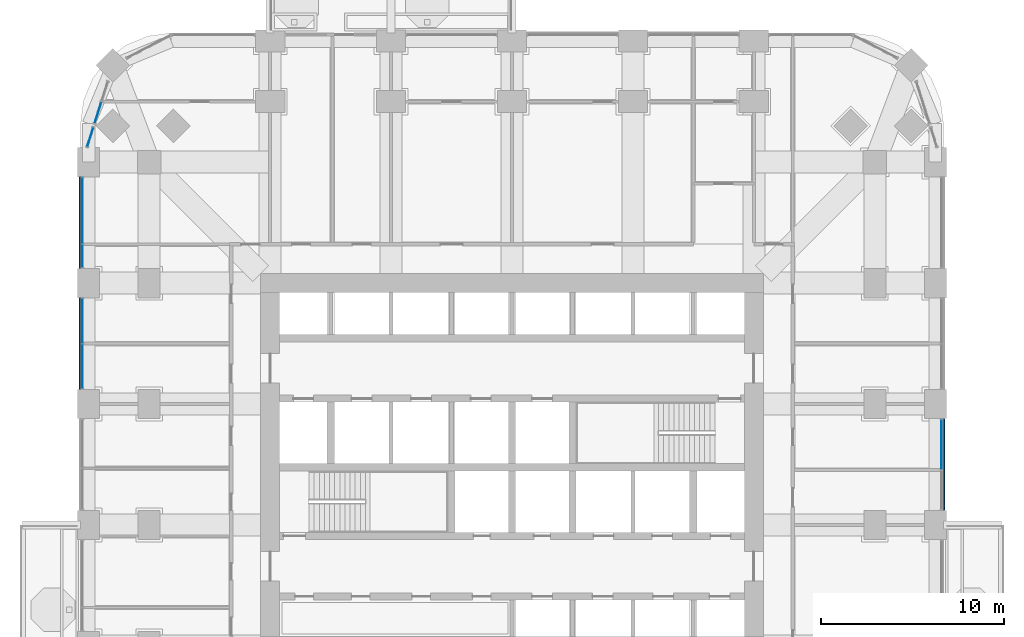
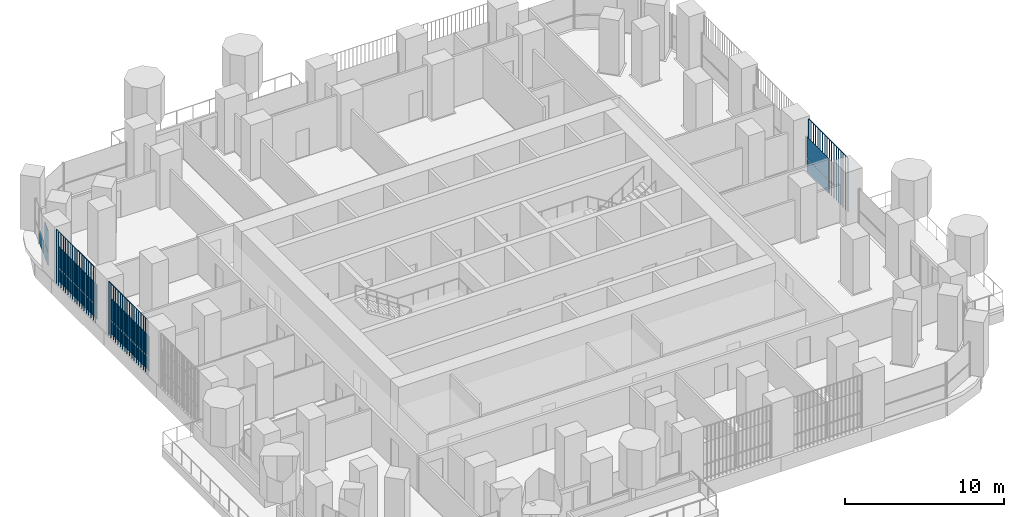
# One storey, part 10 of 21: 16 plates, 5 elements without a shape of their own.
"""IFC4 building model written with IfcOpenShell, lengths in metres."""

from ifc_helpers import new_model, si_unit, direction, frame, origin, origin_2d, place, context, subcontext, project, spatial, polyline, rectangle, outline, extrude, material, layer, layer_set, type_object, element, aggregate, save


model = new_model("IFC4")

# Units and contexts
model_context = context("Model", 3, precision=1e-05, world=origin(), true_north=direction((0.0, 1.0)))
body_context = subcontext(model_context, "Body", "Model", "MODEL_VIEW")
ifc_project = project(units=[si_unit("LENGTHUNIT", "METRE"), si_unit("AREAUNIT", "SQUARE_METRE"), si_unit("VOLUMEUNIT", "CUBIC_METRE"), si_unit("PLANEANGLEUNIT", "RADIAN"), si_unit("MASSUNIT", "GRAM", prefix="KILO")], contexts=[model_context])

# Site, building, storey
site_placement = place(None, origin())
site = spatial("IfcSite", under=ifc_project, at=site_placement, CompositionType="ELEMENT")
building_placement = place(site_placement, origin())
building = spatial("IfcBuilding", under=site, at=building_placement, Name="Cobogo Forest Laboratory Tower", CompositionType="ELEMENT")
storey_placement = place(building_placement, frame((0.0, 0.0, 107.39990234375)))
storey = spatial("IfcBuildingStorey", under=building, at=storey_placement, Name="L24", CompositionType="ELEMENT", Elevation=107.39990234375)

# Curtain wall, plates
ifc_material_1 = material(Name="Aluminium curtain wall", Category="aluminium")
curtain_wall_type = type_object("IfcCurtainWallType", Name="CW-1 unitised curtain wall, clear glazing, laboratory floors zones A and B", PredefinedType="USERDEFINED", material=ifc_material_1)
curtain_wall_1_placement = place(storey_placement, origin())
curtain_wall_1 = element("IfcCurtainWall", 1, at=curtain_wall_1_placement, inside=storey, type_object=curtain_wall_type, Name="Curtain wall 12 L24", ObjectType="UNITISED CURTAIN WALL", PredefinedType="USERDEFINED")
ifc_material_2 = material(Name="Clear insulated glass", Category="glass")
ifc_layer = layer(ifc_material_2, 0.028076171875)
ifc_layer_set = layer_set([ifc_layer], Name="GP-1 clear insulated glass unit 28")
plate_type_1 = type_object("IfcPlateType", Name="GP-1 clear insulated glass unit 28", PredefinedType="CURTAIN_PANEL", material=ifc_layer_set)
plate_1_placement = place(storey_placement, frame((49.85009765625, 24.18505859375, 0.0), z_axis=(0.0, 0.0, 1.0), x_axis=(0.0, 1.0, 0.0)))
plate_1 = element("IfcPlate", 2, at=plate_1_placement, type_object=plate_type_1, Name="CW-1 panel 2.1", PredefinedType="CURTAIN_PANEL", context=body_context, shape_type="SweptSolid", body=[
    extrude(rectangle(XDim=2.7099609375, YDim=0.028076171875, at=origin_2d()), origin(), (0.0, 0.0, 1.0), 1.02001953125),
])
plate_2_placement = place(storey_placement, frame((49.85009765625, 24.18505859375, 1.080078125), z_axis=(0.0, 0.0, 1.0), x_axis=(0.0, 1.0, 0.0)))
plate_2 = element("IfcPlate", 3, at=plate_2_placement, type_object=plate_type_1, Name="CW-1 panel 2.2", PredefinedType="CURTAIN_PANEL", context=body_context, shape_type="SweptSolid", body=[
    extrude(rectangle(XDim=2.7099609375, YDim=0.028076171875, at=origin_2d()), origin(), (0.0, 0.0, 1.0), 1.6201171875),
])
aggregate(curtain_wall_1, [plate_1, plate_2])

# Curtain wall, plate
curtain_wall_2_placement = place(storey_placement, origin())
curtain_wall_2 = element("IfcCurtainWall", 4, at=curtain_wall_2_placement, inside=storey, type_object=curtain_wall_type, Name="Curtain wall 25 L24", ObjectType="UNITISED CURTAIN WALL", PredefinedType="USERDEFINED")
plate_3_placement = place(storey_placement, frame((3.806396484375, 42.31201171875, 0.0), z_axis=(0.0, 0.0, 1.0), x_axis=(-0.301135291996, -0.953581425949, 0.0)))
plate_3 = element("IfcPlate", 5, at=plate_3_placement, type_object=plate_type_1, Name="CW-1 panel 2.1", PredefinedType="CURTAIN_PANEL", context=body_context, shape_type="SweptSolid", body=[
    extrude(rectangle(XDim=1.223876953125, YDim=0.028076171875, at=origin_2d()), origin(), (0.0, 0.0, 1.0), 1.02001953125),
])
aggregate(curtain_wall_2, [plate_3])

# Curtain wall, plates
curtain_wall_3_placement = place(storey_placement, origin())
curtain_wall_3 = element("IfcCurtainWall", 6, at=curtain_wall_3_placement, inside=storey, type_object=curtain_wall_type, Name="Curtain wall 26 L24", ObjectType="UNITISED CURTAIN WALL", PredefinedType="USERDEFINED")
plate_4_placement = place(storey_placement, frame((3.3818359375, 40.9677734375, 0.0), z_axis=(0.0, 0.0, 1.0), x_axis=(-0.301135667865, -0.953581307252, 0.0)))
plate_4 = element("IfcPlate", 7, at=plate_4_placement, type_object=plate_type_1, Name="CW-1 panel 1.1", PredefinedType="CURTAIN_PANEL", context=body_context, shape_type="SweptSolid", body=[
    extrude(rectangle(XDim=1.071044921875, YDim=0.028076171875, at=origin_2d()), origin(), (0.0, 0.0, 1.0), 1.02001953125),
])
plate_5_placement = place(storey_placement, frame((3.3818359375, 40.9677734375, 1.080078125), z_axis=(0.0, 0.0, 1.0), x_axis=(-0.301135667865, -0.953581307252, 0.0)))
plate_5 = element("IfcPlate", 8, at=plate_5_placement, type_object=plate_type_1, Name="CW-1 panel 1.2", PredefinedType="CURTAIN_PANEL", context=body_context, shape_type="SweptSolid", body=[
    extrude(rectangle(XDim=1.071044921875, YDim=0.028076171875, at=origin_2d()), origin(), (0.0, 0.0, 1.0), 1.6201171875),
])
aggregate(curtain_wall_3, [plate_4, plate_5])

curtain_wall_4_placement = place(storey_placement, origin())
curtain_wall_4 = element("IfcCurtainWall", 9, at=curtain_wall_4_placement, inside=storey, type_object=curtain_wall_type, Name="Curtain wall 27 L24", ObjectType="UNITISED CURTAIN WALL", PredefinedType="USERDEFINED")
plate_6_placement = place(storey_placement, frame((2.949951171875, 36.947509765625, 0.0), z_axis=(0.0, 0.0, 1.0), x_axis=(0.0, -1.0, 0.0)))
plate_6 = element("IfcPlate", 10, at=plate_6_placement, type_object=plate_type_1, Name="CW-1 panel 1.1", PredefinedType="CURTAIN_PANEL", context=body_context, shape_type="SweptSolid", body=[
    extrude(rectangle(XDim=3.5849609375, YDim=0.028076171875, at=origin_2d()), origin(), (0.0, 0.0, 1.0), 1.02001953125),
])
plate_7_placement = place(storey_placement, frame((2.949951171875, 36.947509765625, 1.080078125), z_axis=(0.0, 0.0, 1.0), x_axis=(0.0, -1.0, 0.0)))
plate_7 = element("IfcPlate", 11, at=plate_7_placement, type_object=plate_type_1, Name="CW-1 panel 1.2", PredefinedType="CURTAIN_PANEL", context=body_context, shape_type="SweptSolid", body=[
    extrude(rectangle(XDim=3.5849609375, YDim=0.028076171875, at=origin_2d()), origin(), (0.0, 0.0, 1.0), 1.6201171875),
])
plate_8_placement = place(storey_placement, frame((2.949951171875, 34.4775390625, 0.0), z_axis=(0.0, 0.0, 1.0), x_axis=(0.0, -1.0, 0.0)))
plate_8 = element("IfcPlate", 12, at=plate_8_placement, type_object=plate_type_1, Name="CW-1 panel 2.1", PredefinedType="CURTAIN_PANEL", context=body_context, shape_type="SweptSolid", body=[
    extrude(rectangle(XDim=1.235107421875, YDim=0.028076171875, at=origin_2d()), origin(), (0.0, 0.0, 1.0), 1.02001953125),
])
plate_9_placement = place(storey_placement, frame((2.949951171875, 34.4775390625, 1.080078125), z_axis=(0.0, 0.0, 1.0), x_axis=(0.0, -1.0, 0.0)))
plate_9 = element("IfcPlate", 13, at=plate_9_placement, type_object=plate_type_1, Name="CW-1 panel 2.2", PredefinedType="CURTAIN_PANEL", context=body_context, shape_type="SweptSolid", body=[
    extrude(rectangle(XDim=1.235107421875, YDim=0.028076171875, at=origin_2d()), origin(), (0.0, 0.0, 1.0), 1.6201171875),
])
aggregate(curtain_wall_4, [plate_6, plate_7, plate_8, plate_9])

curtain_wall_5_placement = place(storey_placement, origin())
curtain_wall_5 = element("IfcCurtainWall", 14, at=curtain_wall_5_placement, inside=storey, type_object=curtain_wall_type, Name="Curtain wall 28 L24", ObjectType="UNITISED CURTAIN WALL", PredefinedType="USERDEFINED")
plate_10_placement = place(storey_placement, frame((2.949951171875, 30.93505859375, 0.0), z_axis=(0.0, 0.0, 1.0), x_axis=(0.0, -1.0, 0.0)))
plate_10 = element("IfcPlate", 15, at=plate_10_placement, type_object=plate_type_1, Name="CW-1 panel 1.1", PredefinedType="CURTAIN_PANEL", context=body_context, shape_type="SweptSolid", body=[
    extrude(rectangle(XDim=2.409912109375, YDim=0.028076171875, at=origin_2d()), origin(), (0.0, 0.0, 1.0), 1.02001953125),
])
plate_11_placement = place(storey_placement, frame((2.949951171875, 30.93505859375, 1.080078125), z_axis=(0.0, 0.0, 1.0), x_axis=(0.0, -1.0, 0.0)))
plate_11 = element("IfcPlate", 16, at=plate_11_placement, type_object=plate_type_1, Name="CW-1 panel 1.2", PredefinedType="CURTAIN_PANEL", context=body_context, shape_type="SweptSolid", body=[
    extrude(rectangle(XDim=2.409912109375, YDim=0.028076171875, at=origin_2d()), origin(), (0.0, 0.0, 1.0), 1.6201171875),
])
plate_12_placement = place(storey_placement, frame((2.949951171875, 28.465087890625, 0.0), z_axis=(0.0, 0.0, 1.0), x_axis=(0.0, -1.0, 0.0)))
plate_12 = element("IfcPlate", 17, at=plate_12_placement, type_object=plate_type_1, Name="CW-1 panel 2.1", PredefinedType="CURTAIN_PANEL", context=body_context, shape_type="SweptSolid", body=[
    extrude(rectangle(XDim=2.409912109375, YDim=0.028076171875, at=origin_2d()), origin(), (0.0, 0.0, 1.0), 1.02001953125),
])
plate_13_placement = place(storey_placement, frame((2.949951171875, 28.465087890625, 1.080078125), z_axis=(0.0, 0.0, 1.0), x_axis=(0.0, -1.0, 0.0)))
plate_13 = element("IfcPlate", 18, at=plate_13_placement, type_object=plate_type_1, Name="CW-1 panel 2.2", PredefinedType="CURTAIN_PANEL", context=body_context, shape_type="SweptSolid", body=[
    extrude(rectangle(XDim=2.409912109375, YDim=0.028076171875, at=origin_2d()), origin(), (0.0, 0.0, 1.0), 1.6201171875),
])
aggregate(curtain_wall_5, [plate_10, plate_11, plate_12, plate_13])

# Plates
ifc_material_3 = material(Name="Terracotta", Category="masonry")
plate_type_2 = type_object("IfcPlateType", Name="TB1 terracotta baguette screen", PredefinedType="USERDEFINED", material=ifc_material_3)
plate_14_placement = place(storey_placement, frame((49.977783203125, 20.63134765625, -0.14990234375)))
element("IfcPlate", 19, at=plate_14_placement, inside=storey, type_object=plate_type_2, Name="Baguette screen E3 L24", ObjectType="BAGUETTE SCREEN", PredefinedType="USERDEFINED", context=body_context, shape_type="SweptSolid", body=[
    extrude(outline(polyline([(0.02880859375, 0.011962890625), (0.011962890625, 0.02880859375), (-0.011962890625, 0.02880859375), (-0.02880859375, 0.011962890625), (-0.02880859375, -0.011962890625), (-0.011962890625, -0.02880859375), (0.011962890625, -0.02880859375), (0.02880859375, -0.011962890625), (0.02880859375, 0.011962890625)])), frame((0.0, 0.0, 4.168701171875), z_axis=(0.0, 1.0, 0.0), x_axis=(-1.0, 0.0, 0.0)), (0.0, 0.0, 1.0), 4.9375),
    extrude(outline(polyline([(0.02880859375, 0.011962890625), (0.011962890625, 0.02880859375), (-0.011962890625, 0.02880859375), (-0.02880859375, 0.011962890625), (-0.02880859375, -0.011962890625), (-0.011962890625, -0.02880859375), (0.011962890625, -0.02880859375), (0.02880859375, -0.011962890625), (0.02880859375, 0.011962890625)])), origin(), (0.0, 0.0, 1.0), 4.137451171875),
    extrude(outline(polyline([(0.02880859375, 0.011962890625), (0.011962890625, 0.02880859375), (-0.011962890625, 0.02880859375), (-0.02880859375, 0.011962890625), (-0.02880859375, -0.011962890625), (-0.011962890625, -0.02880859375), (0.011962890625, -0.02880859375), (0.02880859375, -0.011962890625), (0.02880859375, 0.011962890625)])), frame((0.0, 0.29052734375, 0.0)), (0.0, 0.0, 1.0), 4.137451171875),
    extrude(outline(polyline([(0.02880859375, 0.011962890625), (0.011962890625, 0.02880859375), (-0.011962890625, 0.02880859375), (-0.02880859375, 0.011962890625), (-0.02880859375, -0.011962890625), (-0.011962890625, -0.02880859375), (0.011962890625, -0.02880859375), (0.02880859375, -0.011962890625), (0.02880859375, 0.011962890625)])), frame((0.0, 0.580810546875, 0.0)), (0.0, 0.0, 1.0), 4.137451171875),
    extrude(outline(polyline([(0.02880859375, 0.011962890625), (0.011962890625, 0.02880859375), (-0.011962890625, 0.02880859375), (-0.02880859375, 0.011962890625), (-0.02880859375, -0.011962890625), (-0.011962890625, -0.02880859375), (0.011962890625, -0.02880859375), (0.02880859375, -0.011962890625), (0.02880859375, 0.011962890625)])), frame((0.0, 0.871337890625, 0.0)), (0.0, 0.0, 1.0), 4.137451171875),
    extrude(outline(polyline([(0.02880859375, 0.011962890625), (0.011962890625, 0.02880859375), (-0.011962890625, 0.02880859375), (-0.02880859375, 0.011962890625), (-0.02880859375, -0.011962890625), (-0.011962890625, -0.02880859375), (0.011962890625, -0.02880859375), (0.02880859375, -0.011962890625), (0.02880859375, 0.011962890625)])), frame((0.0, 1.161865234375, 0.0)), (0.0, 0.0, 1.0), 4.137451171875),
    extrude(outline(polyline([(0.02880859375, 0.011962890625), (0.011962890625, 0.02880859375), (-0.011962890625, 0.02880859375), (-0.02880859375, 0.011962890625), (-0.02880859375, -0.011962890625), (-0.011962890625, -0.02880859375), (0.011962890625, -0.02880859375), (0.02880859375, -0.011962890625), (0.02880859375, 0.011962890625)])), frame((0.0, 1.4521484375, 0.0)), (0.0, 0.0, 1.0), 4.137451171875),
    extrude(outline(polyline([(0.02880859375, 0.011962890625), (0.011962890625, 0.02880859375), (-0.011962890625, 0.02880859375), (-0.02880859375, 0.011962890625), (-0.02880859375, -0.011962890625), (-0.011962890625, -0.02880859375), (0.011962890625, -0.02880859375), (0.02880859375, -0.011962890625), (0.02880859375, 0.011962890625)])), frame((0.0, 1.74267578125, 0.0)), (0.0, 0.0, 1.0), 4.137451171875),
    extrude(outline(polyline([(0.02880859375, 0.011962890625), (0.011962890625, 0.02880859375), (-0.011962890625, 0.02880859375), (-0.02880859375, 0.011962890625), (-0.02880859375, -0.011962890625), (-0.011962890625, -0.02880859375), (0.011962890625, -0.02880859375), (0.02880859375, -0.011962890625), (0.02880859375, 0.011962890625)])), frame((0.0, 2.033203125, 0.0)), (0.0, 0.0, 1.0), 4.137451171875),
    extrude(outline(polyline([(0.02880859375, 0.011962890625), (0.011962890625, 0.02880859375), (-0.011962890625, 0.02880859375), (-0.02880859375, 0.011962890625), (-0.02880859375, -0.011962890625), (-0.011962890625, -0.02880859375), (0.011962890625, -0.02880859375), (0.02880859375, -0.011962890625), (0.02880859375, 0.011962890625)])), frame((0.0, 2.323486328125, 0.0)), (0.0, 0.0, 1.0), 4.137451171875),
    extrude(outline(polyline([(0.02880859375, 0.011962890625), (0.011962890625, 0.02880859375), (-0.011962890625, 0.02880859375), (-0.02880859375, 0.011962890625), (-0.02880859375, -0.011962890625), (-0.011962890625, -0.02880859375), (0.011962890625, -0.02880859375), (0.02880859375, -0.011962890625), (0.02880859375, 0.011962890625)])), frame((0.0, 2.614013671875, 0.0)), (0.0, 0.0, 1.0), 4.137451171875),
    extrude(outline(polyline([(0.02880859375, 0.011962890625), (0.011962890625, 0.02880859375), (-0.011962890625, 0.02880859375), (-0.02880859375, 0.011962890625), (-0.02880859375, -0.011962890625), (-0.011962890625, -0.02880859375), (0.011962890625, -0.02880859375), (0.02880859375, -0.011962890625), (0.02880859375, 0.011962890625)])), frame((0.0, 2.904296875, 0.0)), (0.0, 0.0, 1.0), 4.137451171875),
    extrude(outline(polyline([(0.02880859375, 0.011962890625), (0.011962890625, 0.02880859375), (-0.011962890625, 0.02880859375), (-0.02880859375, 0.011962890625), (-0.02880859375, -0.011962890625), (-0.011962890625, -0.02880859375), (0.011962890625, -0.02880859375), (0.02880859375, -0.011962890625), (0.02880859375, 0.011962890625)])), frame((0.0, 3.19482421875, 0.0)), (0.0, 0.0, 1.0), 4.137451171875),
    extrude(outline(polyline([(0.02880859375, 0.011962890625), (0.011962890625, 0.02880859375), (-0.011962890625, 0.02880859375), (-0.02880859375, 0.011962890625), (-0.02880859375, -0.011962890625), (-0.011962890625, -0.02880859375), (0.011962890625, -0.02880859375), (0.02880859375, -0.011962890625), (0.02880859375, 0.011962890625)])), frame((0.0, 3.4853515625, 0.0)), (0.0, 0.0, 1.0), 4.137451171875),
    extrude(outline(polyline([(0.02880859375, 0.011962890625), (0.011962890625, 0.02880859375), (-0.011962890625, 0.02880859375), (-0.02880859375, 0.011962890625), (-0.02880859375, -0.011962890625), (-0.011962890625, -0.02880859375), (0.011962890625, -0.02880859375), (0.02880859375, -0.011962890625), (0.02880859375, 0.011962890625)])), frame((0.0, 3.775634765625, 0.0)), (0.0, 0.0, 1.0), 4.137451171875),
    extrude(outline(polyline([(0.02880859375, 0.011962890625), (0.011962890625, 0.02880859375), (-0.011962890625, 0.02880859375), (-0.02880859375, 0.011962890625), (-0.02880859375, -0.011962890625), (-0.011962890625, -0.02880859375), (0.011962890625, -0.02880859375), (0.02880859375, -0.011962890625), (0.02880859375, 0.011962890625)])), frame((0.0, 4.066162109375, 0.0)), (0.0, 0.0, 1.0), 4.137451171875),
    extrude(outline(polyline([(0.02880859375, 0.011962890625), (0.011962890625, 0.02880859375), (-0.011962890625, 0.02880859375), (-0.02880859375, 0.011962890625), (-0.02880859375, -0.011962890625), (-0.011962890625, -0.02880859375), (0.011962890625, -0.02880859375), (0.02880859375, -0.011962890625), (0.02880859375, 0.011962890625)])), frame((0.0, 4.356689453125, 0.0)), (0.0, 0.0, 1.0), 4.137451171875),
    extrude(outline(polyline([(0.02880859375, 0.011962890625), (0.011962890625, 0.02880859375), (-0.011962890625, 0.02880859375), (-0.02880859375, 0.011962890625), (-0.02880859375, -0.011962890625), (-0.011962890625, -0.02880859375), (0.011962890625, -0.02880859375), (0.02880859375, -0.011962890625), (0.02880859375, 0.011962890625)])), frame((0.0, 4.64697265625, 0.0)), (0.0, 0.0, 1.0), 4.137451171875),
    extrude(outline(polyline([(0.02880859375, 0.011962890625), (0.011962890625, 0.02880859375), (-0.011962890625, 0.02880859375), (-0.02880859375, 0.011962890625), (-0.02880859375, -0.011962890625), (-0.011962890625, -0.02880859375), (0.011962890625, -0.02880859375), (0.02880859375, -0.011962890625), (0.02880859375, 0.011962890625)])), frame((0.0, 4.9375, 0.0)), (0.0, 0.0, 1.0), 4.137451171875),
])
plate_15_placement = place(storey_placement, frame((2.822021484375, 27.231201171875, -0.14990234375)))
element("IfcPlate", 20, at=plate_15_placement, inside=storey, type_object=plate_type_2, Name="Baguette screen W4 L24", ObjectType="BAGUETTE SCREEN", PredefinedType="USERDEFINED", context=body_context, shape_type="SweptSolid", body=[
    extrude(outline(polyline([(0.02880859375, 0.011962890625), (0.011962890625, 0.02880859375), (-0.011962890625, 0.02880859375), (-0.02880859375, 0.011962890625), (-0.02880859375, -0.011962890625), (-0.011962890625, -0.02880859375), (0.011962890625, -0.02880859375), (0.02880859375, -0.011962890625), (0.02880859375, 0.011962890625)])), frame((0.0, 0.0, 4.168701171875), z_axis=(0.0, 1.0, 0.0), x_axis=(-1.0, 0.0, 0.0)), (0.0, 0.0, 1.0), 4.9375),
    extrude(outline(polyline([(0.02880859375, 0.011962890625), (0.011962890625, 0.02880859375), (-0.011962890625, 0.02880859375), (-0.02880859375, 0.011962890625), (-0.02880859375, -0.011962890625), (-0.011962890625, -0.02880859375), (0.011962890625, -0.02880859375), (0.02880859375, -0.011962890625), (0.02880859375, 0.011962890625)])), origin(), (0.0, 0.0, 1.0), 4.137451171875),
    extrude(outline(polyline([(0.02880859375, 0.011962890625), (0.011962890625, 0.02880859375), (-0.011962890625, 0.02880859375), (-0.02880859375, 0.011962890625), (-0.02880859375, -0.011962890625), (-0.011962890625, -0.02880859375), (0.011962890625, -0.02880859375), (0.02880859375, -0.011962890625), (0.02880859375, 0.011962890625)])), frame((0.0, 0.29052734375, 0.0)), (0.0, 0.0, 1.0), 4.137451171875),
    extrude(outline(polyline([(0.02880859375, 0.011962890625), (0.011962890625, 0.02880859375), (-0.011962890625, 0.02880859375), (-0.02880859375, 0.011962890625), (-0.02880859375, -0.011962890625), (-0.011962890625, -0.02880859375), (0.011962890625, -0.02880859375), (0.02880859375, -0.011962890625), (0.02880859375, 0.011962890625)])), frame((0.0, 0.580810546875, 0.0)), (0.0, 0.0, 1.0), 4.137451171875),
    extrude(outline(polyline([(0.02880859375, 0.011962890625), (0.011962890625, 0.02880859375), (-0.011962890625, 0.02880859375), (-0.02880859375, 0.011962890625), (-0.02880859375, -0.011962890625), (-0.011962890625, -0.02880859375), (0.011962890625, -0.02880859375), (0.02880859375, -0.011962890625), (0.02880859375, 0.011962890625)])), frame((0.0, 0.871337890625, 0.0)), (0.0, 0.0, 1.0), 4.137451171875),
    extrude(outline(polyline([(0.02880859375, 0.011962890625), (0.011962890625, 0.02880859375), (-0.011962890625, 0.02880859375), (-0.02880859375, 0.011962890625), (-0.02880859375, -0.011962890625), (-0.011962890625, -0.02880859375), (0.011962890625, -0.02880859375), (0.02880859375, -0.011962890625), (0.02880859375, 0.011962890625)])), frame((0.0, 1.161865234375, 0.0)), (0.0, 0.0, 1.0), 4.137451171875),
    extrude(outline(polyline([(0.02880859375, 0.011962890625), (0.011962890625, 0.02880859375), (-0.011962890625, 0.02880859375), (-0.02880859375, 0.011962890625), (-0.02880859375, -0.011962890625), (-0.011962890625, -0.02880859375), (0.011962890625, -0.02880859375), (0.02880859375, -0.011962890625), (0.02880859375, 0.011962890625)])), frame((0.0, 1.4521484375, 0.0)), (0.0, 0.0, 1.0), 4.137451171875),
    extrude(outline(polyline([(0.02880859375, 0.011962890625), (0.011962890625, 0.02880859375), (-0.011962890625, 0.02880859375), (-0.02880859375, 0.011962890625), (-0.02880859375, -0.011962890625), (-0.011962890625, -0.02880859375), (0.011962890625, -0.02880859375), (0.02880859375, -0.011962890625), (0.02880859375, 0.011962890625)])), frame((0.0, 1.74267578125, 0.0)), (0.0, 0.0, 1.0), 4.137451171875),
    extrude(outline(polyline([(0.02880859375, 0.011962890625), (0.011962890625, 0.02880859375), (-0.011962890625, 0.02880859375), (-0.02880859375, 0.011962890625), (-0.02880859375, -0.011962890625), (-0.011962890625, -0.02880859375), (0.011962890625, -0.02880859375), (0.02880859375, -0.011962890625), (0.02880859375, 0.011962890625)])), frame((0.0, 2.033203125, 0.0)), (0.0, 0.0, 1.0), 4.137451171875),
    extrude(outline(polyline([(0.02880859375, 0.011962890625), (0.011962890625, 0.02880859375), (-0.011962890625, 0.02880859375), (-0.02880859375, 0.011962890625), (-0.02880859375, -0.011962890625), (-0.011962890625, -0.02880859375), (0.011962890625, -0.02880859375), (0.02880859375, -0.011962890625), (0.02880859375, 0.011962890625)])), frame((0.0, 2.323486328125, 0.0)), (0.0, 0.0, 1.0), 4.137451171875),
    extrude(outline(polyline([(0.02880859375, 0.011962890625), (0.011962890625, 0.02880859375), (-0.011962890625, 0.02880859375), (-0.02880859375, 0.011962890625), (-0.02880859375, -0.011962890625), (-0.011962890625, -0.02880859375), (0.011962890625, -0.02880859375), (0.02880859375, -0.011962890625), (0.02880859375, 0.011962890625)])), frame((0.0, 2.614013671875, 0.0)), (0.0, 0.0, 1.0), 4.137451171875),
    extrude(outline(polyline([(0.02880859375, 0.011962890625), (0.011962890625, 0.02880859375), (-0.011962890625, 0.02880859375), (-0.02880859375, 0.011962890625), (-0.02880859375, -0.011962890625), (-0.011962890625, -0.02880859375), (0.011962890625, -0.02880859375), (0.02880859375, -0.011962890625), (0.02880859375, 0.011962890625)])), frame((0.0, 2.904296875, 0.0)), (0.0, 0.0, 1.0), 4.137451171875),
    extrude(outline(polyline([(0.02880859375, 0.011962890625), (0.011962890625, 0.02880859375), (-0.011962890625, 0.02880859375), (-0.02880859375, 0.011962890625), (-0.02880859375, -0.011962890625), (-0.011962890625, -0.02880859375), (0.011962890625, -0.02880859375), (0.02880859375, -0.011962890625), (0.02880859375, 0.011962890625)])), frame((0.0, 3.19482421875, 0.0)), (0.0, 0.0, 1.0), 4.137451171875),
    extrude(outline(polyline([(0.02880859375, 0.011962890625), (0.011962890625, 0.02880859375), (-0.011962890625, 0.02880859375), (-0.02880859375, 0.011962890625), (-0.02880859375, -0.011962890625), (-0.011962890625, -0.02880859375), (0.011962890625, -0.02880859375), (0.02880859375, -0.011962890625), (0.02880859375, 0.011962890625)])), frame((0.0, 3.4853515625, 0.0)), (0.0, 0.0, 1.0), 4.137451171875),
    extrude(outline(polyline([(0.02880859375, 0.011962890625), (0.011962890625, 0.02880859375), (-0.011962890625, 0.02880859375), (-0.02880859375, 0.011962890625), (-0.02880859375, -0.011962890625), (-0.011962890625, -0.02880859375), (0.011962890625, -0.02880859375), (0.02880859375, -0.011962890625), (0.02880859375, 0.011962890625)])), frame((0.0, 3.775634765625, 0.0)), (0.0, 0.0, 1.0), 4.137451171875),
    extrude(outline(polyline([(0.02880859375, 0.011962890625), (0.011962890625, 0.02880859375), (-0.011962890625, 0.02880859375), (-0.02880859375, 0.011962890625), (-0.02880859375, -0.011962890625), (-0.011962890625, -0.02880859375), (0.011962890625, -0.02880859375), (0.02880859375, -0.011962890625), (0.02880859375, 0.011962890625)])), frame((0.0, 4.066162109375, 0.0)), (0.0, 0.0, 1.0), 4.137451171875),
    extrude(outline(polyline([(0.02880859375, 0.011962890625), (0.011962890625, 0.02880859375), (-0.011962890625, 0.02880859375), (-0.02880859375, 0.011962890625), (-0.02880859375, -0.011962890625), (-0.011962890625, -0.02880859375), (0.011962890625, -0.02880859375), (0.02880859375, -0.011962890625), (0.02880859375, 0.011962890625)])), frame((0.0, 4.356689453125, 0.0)), (0.0, 0.0, 1.0), 4.137451171875),
    extrude(outline(polyline([(0.02880859375, 0.011962890625), (0.011962890625, 0.02880859375), (-0.011962890625, 0.02880859375), (-0.02880859375, 0.011962890625), (-0.02880859375, -0.011962890625), (-0.011962890625, -0.02880859375), (0.011962890625, -0.02880859375), (0.02880859375, -0.011962890625), (0.02880859375, 0.011962890625)])), frame((0.0, 4.64697265625, 0.0)), (0.0, 0.0, 1.0), 4.137451171875),
    extrude(outline(polyline([(0.02880859375, 0.011962890625), (0.011962890625, 0.02880859375), (-0.011962890625, 0.02880859375), (-0.02880859375, 0.011962890625), (-0.02880859375, -0.011962890625), (-0.011962890625, -0.02880859375), (0.011962890625, -0.02880859375), (0.02880859375, -0.011962890625), (0.02880859375, 0.011962890625)])), frame((0.0, 4.9375, 0.0)), (0.0, 0.0, 1.0), 4.137451171875),
])
plate_16_placement = place(storey_placement, frame((2.822021484375, 33.831298828125, -0.14990234375)))
element("IfcPlate", 21, at=plate_16_placement, inside=storey, type_object=plate_type_2, Name="Baguette screen W5 L24", ObjectType="BAGUETTE SCREEN", PredefinedType="USERDEFINED", context=body_context, shape_type="SweptSolid", body=[
    extrude(outline(polyline([(0.02880859375, 0.011962890625), (0.011962890625, 0.02880859375), (-0.011962890625, 0.02880859375), (-0.02880859375, 0.011962890625), (-0.02880859375, -0.011962890625), (-0.011962890625, -0.02880859375), (0.011962890625, -0.02880859375), (0.02880859375, -0.011962890625), (0.02880859375, 0.011962890625)])), frame((0.0, 0.0, 4.168701171875), z_axis=(0.0, 1.0, 0.0), x_axis=(-1.0, 0.0, 0.0)), (0.0, 0.0, 1.0), 4.9375),
    extrude(outline(polyline([(0.02880859375, 0.011962890625), (0.011962890625, 0.02880859375), (-0.011962890625, 0.02880859375), (-0.02880859375, 0.011962890625), (-0.02880859375, -0.011962890625), (-0.011962890625, -0.02880859375), (0.011962890625, -0.02880859375), (0.02880859375, -0.011962890625), (0.02880859375, 0.011962890625)])), origin(), (0.0, 0.0, 1.0), 4.137451171875),
    extrude(outline(polyline([(0.02880859375, 0.011962890625), (0.011962890625, 0.02880859375), (-0.011962890625, 0.02880859375), (-0.02880859375, 0.011962890625), (-0.02880859375, -0.011962890625), (-0.011962890625, -0.02880859375), (0.011962890625, -0.02880859375), (0.02880859375, -0.011962890625), (0.02880859375, 0.011962890625)])), frame((0.0, 0.29052734375, 0.0)), (0.0, 0.0, 1.0), 4.137451171875),
    extrude(outline(polyline([(0.02880859375, 0.011962890625), (0.011962890625, 0.02880859375), (-0.011962890625, 0.02880859375), (-0.02880859375, 0.011962890625), (-0.02880859375, -0.011962890625), (-0.011962890625, -0.02880859375), (0.011962890625, -0.02880859375), (0.02880859375, -0.011962890625), (0.02880859375, 0.011962890625)])), frame((0.0, 0.580810546875, 0.0)), (0.0, 0.0, 1.0), 4.137451171875),
    extrude(outline(polyline([(0.02880859375, 0.011962890625), (0.011962890625, 0.02880859375), (-0.011962890625, 0.02880859375), (-0.02880859375, 0.011962890625), (-0.02880859375, -0.011962890625), (-0.011962890625, -0.02880859375), (0.011962890625, -0.02880859375), (0.02880859375, -0.011962890625), (0.02880859375, 0.011962890625)])), frame((0.0, 0.871337890625, 0.0)), (0.0, 0.0, 1.0), 4.137451171875),
    extrude(outline(polyline([(0.02880859375, 0.011962890625), (0.011962890625, 0.02880859375), (-0.011962890625, 0.02880859375), (-0.02880859375, 0.011962890625), (-0.02880859375, -0.011962890625), (-0.011962890625, -0.02880859375), (0.011962890625, -0.02880859375), (0.02880859375, -0.011962890625), (0.02880859375, 0.011962890625)])), frame((0.0, 1.161865234375, 0.0)), (0.0, 0.0, 1.0), 4.137451171875),
    extrude(outline(polyline([(0.02880859375, 0.011962890625), (0.011962890625, 0.02880859375), (-0.011962890625, 0.02880859375), (-0.02880859375, 0.011962890625), (-0.02880859375, -0.011962890625), (-0.011962890625, -0.02880859375), (0.011962890625, -0.02880859375), (0.02880859375, -0.011962890625), (0.02880859375, 0.011962890625)])), frame((0.0, 1.4521484375, 0.0)), (0.0, 0.0, 1.0), 4.137451171875),
    extrude(outline(polyline([(0.02880859375, 0.011962890625), (0.011962890625, 0.02880859375), (-0.011962890625, 0.02880859375), (-0.02880859375, 0.011962890625), (-0.02880859375, -0.011962890625), (-0.011962890625, -0.02880859375), (0.011962890625, -0.02880859375), (0.02880859375, -0.011962890625), (0.02880859375, 0.011962890625)])), frame((0.0, 1.74267578125, 0.0)), (0.0, 0.0, 1.0), 4.137451171875),
    extrude(outline(polyline([(0.02880859375, 0.011962890625), (0.011962890625, 0.02880859375), (-0.011962890625, 0.02880859375), (-0.02880859375, 0.011962890625), (-0.02880859375, -0.011962890625), (-0.011962890625, -0.02880859375), (0.011962890625, -0.02880859375), (0.02880859375, -0.011962890625), (0.02880859375, 0.011962890625)])), frame((0.0, 2.033203125, 0.0)), (0.0, 0.0, 1.0), 4.137451171875),
    extrude(outline(polyline([(0.02880859375, 0.011962890625), (0.011962890625, 0.02880859375), (-0.011962890625, 0.02880859375), (-0.02880859375, 0.011962890625), (-0.02880859375, -0.011962890625), (-0.011962890625, -0.02880859375), (0.011962890625, -0.02880859375), (0.02880859375, -0.011962890625), (0.02880859375, 0.011962890625)])), frame((0.0, 2.323486328125, 0.0)), (0.0, 0.0, 1.0), 4.137451171875),
    extrude(outline(polyline([(0.02880859375, 0.011962890625), (0.011962890625, 0.02880859375), (-0.011962890625, 0.02880859375), (-0.02880859375, 0.011962890625), (-0.02880859375, -0.011962890625), (-0.011962890625, -0.02880859375), (0.011962890625, -0.02880859375), (0.02880859375, -0.011962890625), (0.02880859375, 0.011962890625)])), frame((0.0, 2.614013671875, 0.0)), (0.0, 0.0, 1.0), 4.137451171875),
    extrude(outline(polyline([(0.02880859375, 0.011962890625), (0.011962890625, 0.02880859375), (-0.011962890625, 0.02880859375), (-0.02880859375, 0.011962890625), (-0.02880859375, -0.011962890625), (-0.011962890625, -0.02880859375), (0.011962890625, -0.02880859375), (0.02880859375, -0.011962890625), (0.02880859375, 0.011962890625)])), frame((0.0, 2.904296875, 0.0)), (0.0, 0.0, 1.0), 4.137451171875),
    extrude(outline(polyline([(0.02880859375, 0.011962890625), (0.011962890625, 0.02880859375), (-0.011962890625, 0.02880859375), (-0.02880859375, 0.011962890625), (-0.02880859375, -0.011962890625), (-0.011962890625, -0.02880859375), (0.011962890625, -0.02880859375), (0.02880859375, -0.011962890625), (0.02880859375, 0.011962890625)])), frame((0.0, 3.19482421875, 0.0)), (0.0, 0.0, 1.0), 4.137451171875),
    extrude(outline(polyline([(0.02880859375, 0.011962890625), (0.011962890625, 0.02880859375), (-0.011962890625, 0.02880859375), (-0.02880859375, 0.011962890625), (-0.02880859375, -0.011962890625), (-0.011962890625, -0.02880859375), (0.011962890625, -0.02880859375), (0.02880859375, -0.011962890625), (0.02880859375, 0.011962890625)])), frame((0.0, 3.4853515625, 0.0)), (0.0, 0.0, 1.0), 4.137451171875),
    extrude(outline(polyline([(0.02880859375, 0.011962890625), (0.011962890625, 0.02880859375), (-0.011962890625, 0.02880859375), (-0.02880859375, 0.011962890625), (-0.02880859375, -0.011962890625), (-0.011962890625, -0.02880859375), (0.011962890625, -0.02880859375), (0.02880859375, -0.011962890625), (0.02880859375, 0.011962890625)])), frame((0.0, 3.775634765625, 0.0)), (0.0, 0.0, 1.0), 4.137451171875),
    extrude(outline(polyline([(0.02880859375, 0.011962890625), (0.011962890625, 0.02880859375), (-0.011962890625, 0.02880859375), (-0.02880859375, 0.011962890625), (-0.02880859375, -0.011962890625), (-0.011962890625, -0.02880859375), (0.011962890625, -0.02880859375), (0.02880859375, -0.011962890625), (0.02880859375, 0.011962890625)])), frame((0.0, 4.066162109375, 0.0)), (0.0, 0.0, 1.0), 4.137451171875),
    extrude(outline(polyline([(0.02880859375, 0.011962890625), (0.011962890625, 0.02880859375), (-0.011962890625, 0.02880859375), (-0.02880859375, 0.011962890625), (-0.02880859375, -0.011962890625), (-0.011962890625, -0.02880859375), (0.011962890625, -0.02880859375), (0.02880859375, -0.011962890625), (0.02880859375, 0.011962890625)])), frame((0.0, 4.356689453125, 0.0)), (0.0, 0.0, 1.0), 4.137451171875),
    extrude(outline(polyline([(0.02880859375, 0.011962890625), (0.011962890625, 0.02880859375), (-0.011962890625, 0.02880859375), (-0.02880859375, 0.011962890625), (-0.02880859375, -0.011962890625), (-0.011962890625, -0.02880859375), (0.011962890625, -0.02880859375), (0.02880859375, -0.011962890625), (0.02880859375, 0.011962890625)])), frame((0.0, 4.64697265625, 0.0)), (0.0, 0.0, 1.0), 4.137451171875),
    extrude(outline(polyline([(0.02880859375, 0.011962890625), (0.011962890625, 0.02880859375), (-0.011962890625, 0.02880859375), (-0.02880859375, 0.011962890625), (-0.02880859375, -0.011962890625), (-0.011962890625, -0.02880859375), (0.011962890625, -0.02880859375), (0.02880859375, -0.011962890625), (0.02880859375, 0.011962890625)])), frame((0.0, 4.9375, 0.0)), (0.0, 0.0, 1.0), 4.137451171875),
])

save(model, "model.ifc")
